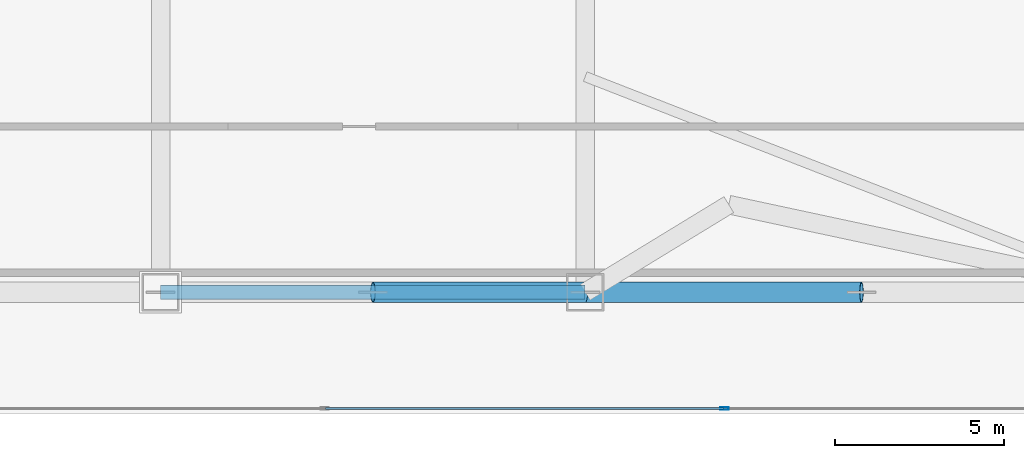
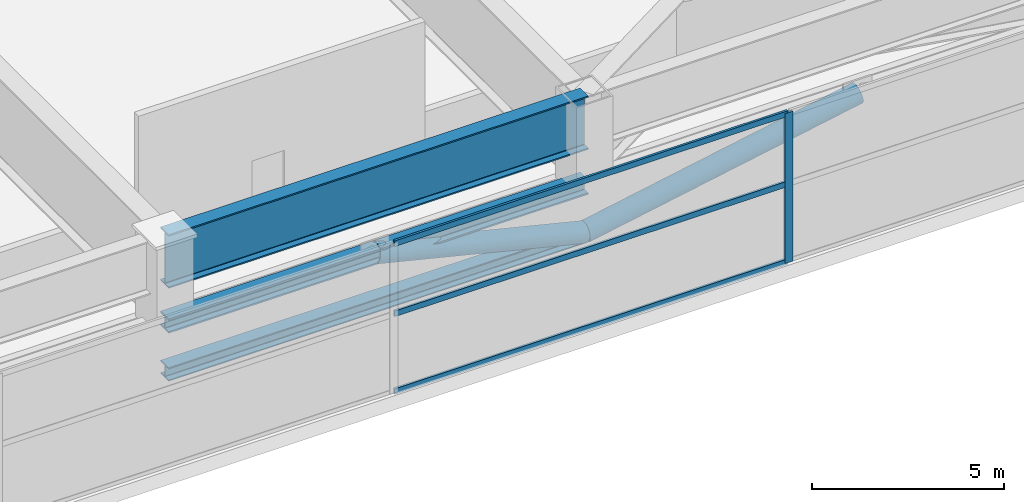
# One storey, part 12 of 36: 8 members, 1 beam, 1 element without a shape of its own.
"""IFC4 building model written with IfcOpenShell, lengths in metres."""

from ifc_helpers import new_model, si_unit, direction, frame, origin, origin_2d, place, context, subcontext, project, spatial, hollow_rectangle, hollow_circle, i_section, extrude, material, layer, layer_set, material_profile, profile_set, type_object, element, aggregate, save


model = new_model("IFC4")

# Units and contexts
model_context = context("Model", 3, precision=1e-05, world=origin(), true_north=direction((0.0, 1.0)))
body_context = subcontext(model_context, "Body", "Model", "MODEL_VIEW")
ifc_project = project(units=[si_unit("LENGTHUNIT", "METRE"), si_unit("AREAUNIT", "SQUARE_METRE"), si_unit("VOLUMEUNIT", "CUBIC_METRE"), si_unit("PLANEANGLEUNIT", "RADIAN"), si_unit("MASSUNIT", "GRAM", prefix="KILO")], contexts=[model_context])

# Site, building, storey
site_placement = place(None, origin())
site = spatial("IfcSite", under=ifc_project, at=site_placement, CompositionType="ELEMENT")
building_placement = place(site_placement, origin())
building = spatial("IfcBuilding", under=site, at=building_placement, Name="Calvorn Quay Hotel", CompositionType="ELEMENT")
storey_placement = place(building_placement, frame((0.0, 0.0, 22.0)))
storey = spatial("IfcBuildingStorey", under=building, at=storey_placement, Name="L04", CompositionType="ELEMENT", Elevation=22.0)

# Beam
ifc_material_1 = material(Name="Steel Q420GJC", Category="steel")
ifc_material_profile_1 = material_profile(ifc_material_1, i_section(OverallWidth=0.419921875, OverallDepth=1.699951171875, WebThickness=0.02392578125, FlangeThickness=0.0419921875, FilletRadius=0.02392578125, at=origin_2d()), Name="HN1700x420x24x42")
ifc_profile_set_1 = profile_set([ifc_material_profile_1], Name="Steel Q420GJC")
beam_type = type_object("IfcBeamType", Name="BM-XFER-SAWTOOTH", PredefinedType="BEAM", material=ifc_profile_set_1)
beam_placement = place(storey_placement, frame((45.0, 3.60009765625, 3.889892578125), z_axis=(1.0, 0.0, 0.0), x_axis=(0.0, 1.0, 0.0)))
element("IfcBeam", 1, at=beam_placement, inside=storey, type_object=beam_type, Name="Beam BTG-L04-S2", PredefinedType="BEAM", context=body_context, shape_type="SweptSolid", body=[
    extrude(i_section(OverallWidth=0.419921875, OverallDepth=1.699951171875, WebThickness=0.02392578125, FlangeThickness=0.0419921875, FilletRadius=0.02392578125, at=origin_2d()), origin(), (0.0, 0.0, 1.0), 12.60009765625),
])

# Curtain wall, members
ifc_material_2 = material(Name="Pale Anodised Aluminium and Low-E Glass", Category="aluminium")
ifc_layer = layer(ifc_material_2, 0.219970703125)
ifc_layer_set = layer_set([ifc_layer], Name="CW-SYS-POD")
curtain_wall_type = type_object("IfcCurtainWallType", Name="CW-SYS-POD", PredefinedType="NOTDEFINED", material=ifc_layer_set)
curtain_wall_placement = place(storey_placement, origin())
curtain_wall = element("IfcCurtainWall", 2, at=curtain_wall_placement, inside=storey, type_object=curtain_wall_type, Name="Podium Curtain Wall L04-S1", PredefinedType="NOTDEFINED")
ifc_material_3 = material(Name="Pale Anodised Aluminium 6063-T6", Category="aluminium")
ifc_material_profile_2 = material_profile(ifc_material_3, hollow_rectangle(XDim=0.080078125, YDim=0.239990234375, WallThickness=0.0048828125, at=origin_2d()), Name="ALU-M240x80x5")
ifc_profile_set_2 = profile_set([ifc_material_profile_2], Name="Pale Anodised Aluminium 6063-T6")
member_type_1 = type_object("IfcMemberType", Name="CW-SYS-POD-MUL", PredefinedType="MULLION", material=ifc_profile_set_2)
member_1_placement = place(storey_placement, frame((61.7333984375, 0.14990234375, 0.0), z_axis=(0.0, 0.0, 1.0), x_axis=(0.0, 1.0, 0.0)))
member_1 = element("IfcMember", 3, at=member_1_placement, type_object=member_type_1, Name="CW-L04-S1 mullion 6", PredefinedType="MULLION", context=body_context, shape_type="SweptSolid", body=[
    extrude(hollow_rectangle(XDim=0.080078125, YDim=0.239990234375, WallThickness=0.0048828125, at=origin_2d()), origin(), (0.0, 0.0, 1.0), 4.760009765625),
])
ifc_material_4 = material(Name="Pale Anodised Aluminium 6063-T6", Category="aluminium")
ifc_material_profile_3 = material_profile(ifc_material_4, hollow_rectangle(XDim=0.070068359375, YDim=0.179931640625, WallThickness=0.00390625, at=origin_2d()), Name="ALU-T180x70x4")
ifc_profile_set_3 = profile_set([ifc_material_profile_3], Name="Pale Anodised Aluminium 6063-T6")
member_type_2 = type_object("IfcMemberType", Name="CW-SYS-POD-TRN", PredefinedType="USERDEFINED", material=ifc_profile_set_3)
member_2_placement = place(storey_placement, frame((49.896728515625, 0.14990234375, 0.030029296875), z_axis=(1.0, 0.0, 0.0), x_axis=(0.0, 1.0, 0.0)))
member_2 = element("IfcMember", 4, at=member_2_placement, type_object=member_type_2, Name="CW-L04-S1 transom 5.1", ObjectType="TRANSOM", PredefinedType="USERDEFINED", context=body_context, shape_type="SweptSolid", body=[
    extrude(hollow_rectangle(XDim=0.070068359375, YDim=0.179931640625, WallThickness=0.00390625, at=origin_2d()), origin(), (0.0, 0.0, 1.0), 11.806640625),
])
member_3_placement = place(storey_placement, frame((49.896728515625, 0.14990234375, 2.5), z_axis=(1.0, 0.0, 0.0), x_axis=(0.0, 1.0, 0.0)))
member_3 = element("IfcMember", 5, at=member_3_placement, type_object=member_type_2, Name="CW-L04-S1 transom 5.2", ObjectType="TRANSOM", PredefinedType="USERDEFINED", context=body_context, shape_type="SweptSolid", body=[
    extrude(hollow_rectangle(XDim=0.070068359375, YDim=0.179931640625, WallThickness=0.00390625, at=origin_2d()), origin(), (0.0, 0.0, 1.0), 11.806640625),
])
member_4_placement = place(storey_placement, frame((49.896728515625, 0.14990234375, 4.72998046875), z_axis=(1.0, 0.0, 0.0), x_axis=(0.0, 1.0, 0.0)))
member_4 = element("IfcMember", 6, at=member_4_placement, type_object=member_type_2, Name="CW-L04-S1 transom 5.3", ObjectType="TRANSOM", PredefinedType="USERDEFINED", context=body_context, shape_type="SweptSolid", body=[
    extrude(hollow_rectangle(XDim=0.070068359375, YDim=0.179931640625, WallThickness=0.00390625, at=origin_2d()), origin(), (0.0, 0.0, 1.0), 11.806640625),
])
aggregate(curtain_wall, [member_1, member_2, member_3, member_4])

# Members
ifc_material_5 = material(Name="Steel Q420GJC", Category="steel")
ifc_material_profile_4 = material_profile(ifc_material_5, i_section(OverallWidth=0.406982421875, OverallDepth=0.427978515625, WebThickness=0.02001953125, FlangeThickness=0.034912109375, FilletRadius=0.02197265625, at=origin_2d()), Name="HW428x407x20x35")
ifc_profile_set_4 = profile_set([ifc_material_profile_4], Name="Steel Q420GJC")
member_type_3 = type_object("IfcMemberType", Name="MEM-TRUSS-CHORD-BOT", PredefinedType="CHORD", material=ifc_profile_set_4)
member_5_placement = place(storey_placement, frame((45.0, 3.60009765625, 0.300048828125), z_axis=(1.0, 0.0, 0.0), x_axis=(0.0, 1.0, 0.0)))
element("IfcMember", 7, at=member_5_placement, inside=storey, type_object=member_type_3, Name="Ballroom Transfer Bottom Chord MBC-T12", PredefinedType="CHORD", context=body_context, shape_type="SweptSolid", body=[
    extrude(i_section(OverallWidth=0.406982421875, OverallDepth=0.427978515625, WebThickness=0.02001953125, FlangeThickness=0.034912109375, FilletRadius=0.02197265625, at=origin_2d()), origin(), (0.0, 0.0, 1.0), 12.60009765625),
])
ifc_material_6 = material(Name="Steel Q420GJC", Category="steel")
ifc_material_profile_5 = material_profile(ifc_material_6, i_section(OverallWidth=0.4169921875, OverallDepth=0.4580078125, WebThickness=0.030029296875, FlangeThickness=0.050048828125, FilletRadius=0.02197265625, at=origin_2d()), Name="HW458x417x30x50")
ifc_profile_set_5 = profile_set([ifc_material_profile_5], Name="Steel Q420GJC")
member_type_4 = type_object("IfcMemberType", Name="MEM-TRUSS-CHORD-TOP", PredefinedType="CHORD", material=ifc_profile_set_5)
member_6_placement = place(storey_placement, frame((45.0, 3.60009765625, 1.840087890625), z_axis=(1.0, 0.0, 0.0), x_axis=(0.0, 1.0, 0.0)))
element("IfcMember", 8, at=member_6_placement, inside=storey, type_object=member_type_4, Name="Ballroom Transfer Top Chord MTC-12", PredefinedType="CHORD", context=body_context, shape_type="SweptSolid", body=[
    extrude(i_section(OverallWidth=0.4169921875, OverallDepth=0.4580078125, WebThickness=0.030029296875, FlangeThickness=0.050048828125, FilletRadius=0.02197265625, at=origin_2d()), origin(), (0.0, 0.0, 1.0), 12.60009765625),
])
ifc_material_7 = material(Name="Steel Q420GJC", Category="steel")
ifc_material_profile_6 = material_profile(ifc_material_7, hollow_circle(Radius=0.300048828125, WallThickness=0.02392578125, at=origin_2d()), Name="CHS600x24")
ifc_profile_set_6 = profile_set([ifc_material_profile_6], Name="Steel Q420GJC")
member_type_5 = type_object("IfcMemberType", Name="MEM-TRUSS-DIAG-HVY", PredefinedType="BRACE", material=ifc_profile_set_6)
member_7_placement = place(storey_placement, frame((51.300048828125, 3.60009765625, 1.840087890625), z_axis=(0.971398041713, 0.0, -0.237457037284), x_axis=(0.0, 1.0, 0.0)))
element("IfcMember", 9, at=member_7_placement, inside=storey, type_object=member_type_5, Name="Ballroom Warren Diagonal MTD-12B", PredefinedType="BRACE", context=body_context, shape_type="SweptSolid", body=[
    extrude(hollow_circle(Radius=0.300048828125, WallThickness=0.02392578125, at=origin_2d()), origin(), (0.0, 0.0, 1.0), 6.485595703125),
])
member_8_placement = place(storey_placement, frame((57.60009765625, 3.60009765625, 0.300048828125), z_axis=(0.982816821242, 0.0, 0.184583574252), x_axis=(0.0, 1.0, 0.0)))
element("IfcMember", 10, at=member_8_placement, inside=storey, type_object=member_type_5, Name="Ballroom Warren Diagonal MTD-13A", PredefinedType="BRACE", context=body_context, shape_type="SweptSolid", body=[
    extrude(hollow_circle(Radius=0.300048828125, WallThickness=0.02392578125, at=origin_2d()), origin(), (0.0, 0.0, 1.0), 8.34326171875),
])

save(model, "model.ifc")
